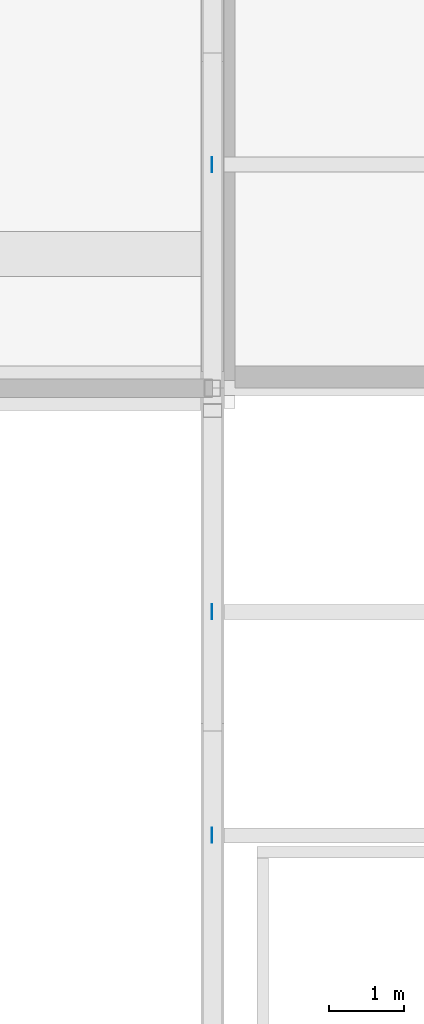
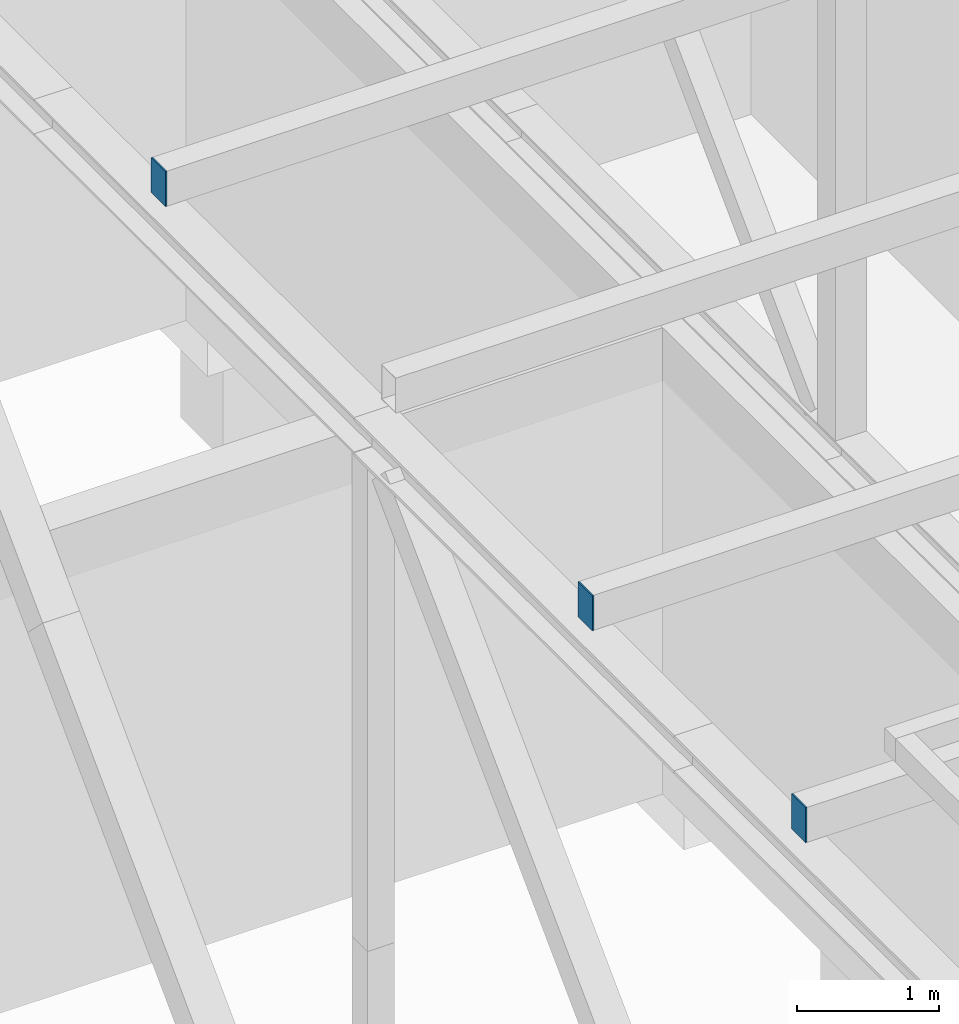
# One storey, part 221 of 646: 3 discrete accessories.
"""IFC4 building model written with IfcOpenShell, lengths in metres."""

from ifc_helpers import new_model, si_unit, direction, frame, origin, origin_2d, place, context, subcontext, project, spatial, rectangle, extrude, material, layer, layer_set, type_object, element, save


model = new_model("IFC4")

# Units and contexts
model_context = context("Model", 3, precision=1e-05, world=origin(), true_north=direction((0.0, 1.0)))
body_context = subcontext(model_context, "Body", "Model", "MODEL_VIEW")
ifc_project = project(units=[si_unit("LENGTHUNIT", "METRE"), si_unit("AREAUNIT", "SQUARE_METRE"), si_unit("VOLUMEUNIT", "CUBIC_METRE"), si_unit("PLANEANGLEUNIT", "RADIAN"), si_unit("MASSUNIT", "GRAM", prefix="KILO")], contexts=[model_context])

# Site, building, storey
site_placement = place(None, origin())
site = spatial("IfcSite", under=ifc_project, at=site_placement, CompositionType="ELEMENT")
building_placement = place(site_placement, origin())
building = spatial("IfcBuilding", under=site, at=building_placement, Name="Silverbay Arena", CompositionType="ELEMENT")
storey_placement = place(building_placement, frame((0.0, 0.0, 33.5)))
storey = spatial("IfcBuildingStorey", under=building, at=storey_placement, Name="L05", CompositionType="ELEMENT", Elevation=33.5)

# Discrete accessories
ifc_material = material(Name="Steel S355", Category="steel")
ifc_layer = layer(ifc_material, 0.011962890625)
ifc_layer_set = layer_set([ifc_layer], Name="Steel S355")
discrete_accessory_type = type_object("IfcDiscreteAccessoryType", Name="Purlin end plate 12", PredefinedType="USERDEFINED", material=ifc_layer_set)
for number, where, z_axis, x_axis, name in (
    (1, (180.0, 93.0, 13.14990234375), (-1.0, 0.0, 0.0), (0.0, -1.0, 0.0), "Purlin end plate"),
    (2, (180.0, 96.0, 13.14990234375), (-1.0, 0.0, 0.0), (0.0, -1.0, 0.0), "Purlin end plate"),
    (3, (180.0, 102.0, 13.14990234375), (-1.0, 0.0, 0.0), (0.0, -1.0, 0.0), "Purlin end plate"),
):
    element("IfcDiscreteAccessory", number, at=place(storey_placement, frame(where, z_axis=z_axis, x_axis=x_axis)), inside=storey, type_object=discrete_accessory_type, Name=name, ObjectType="END PLATE", PredefinedType="USERDEFINED", context=body_context, shape_type="SweptSolid", body=[
        extrude(rectangle(XDim=0.199951171875, YDim=0.300048828125, at=origin_2d()), origin(), (0.0, 0.0, 1.0), 0.011962890625),
    ])

save(model, "model.ifc")
